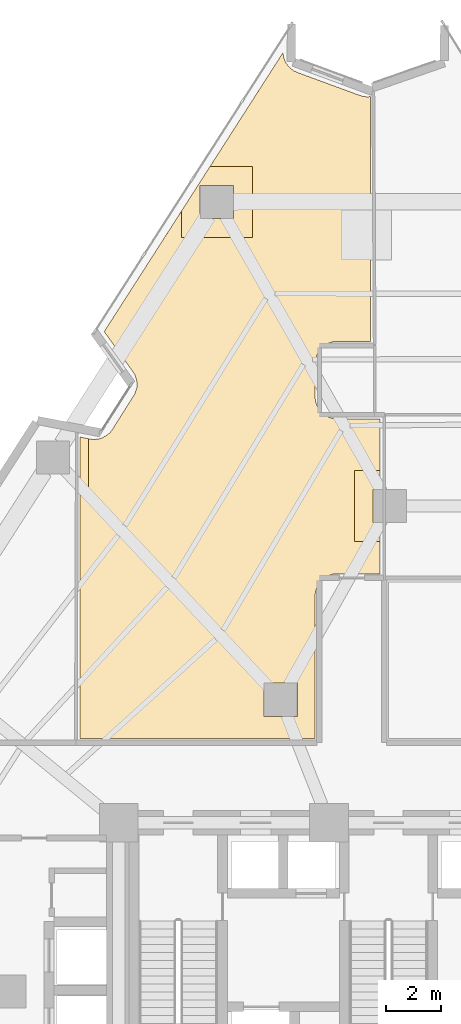
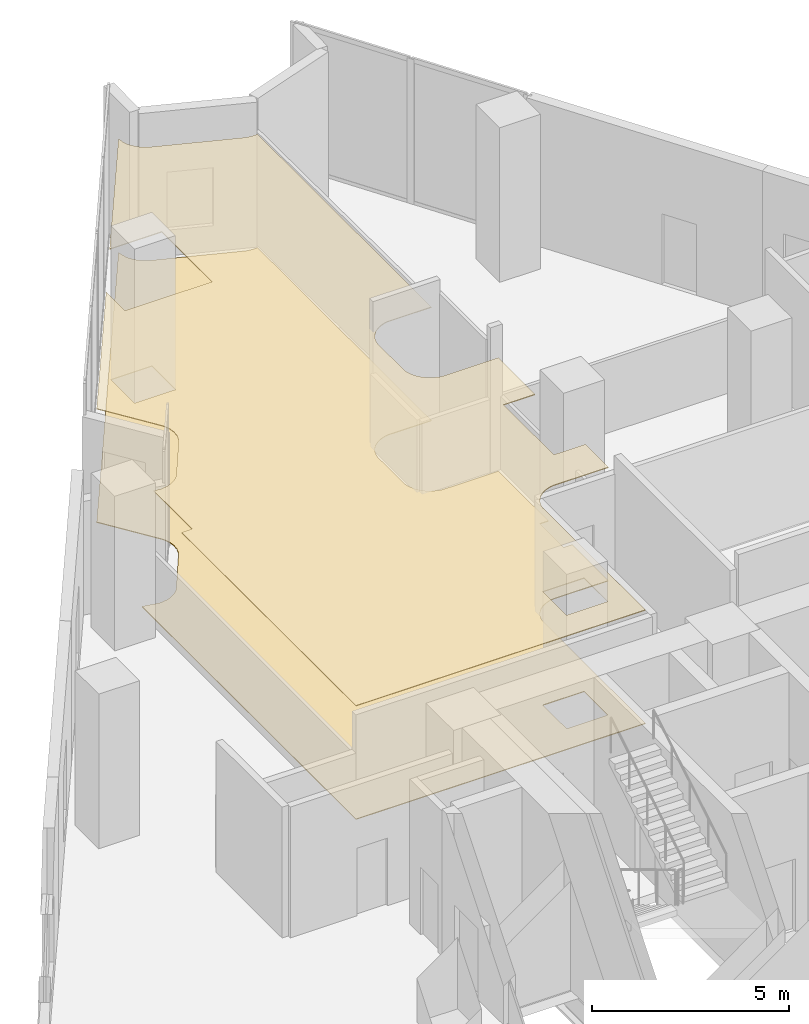
# One storey, part 11 of 13: 2 coverings.
"""IFC4 building model written with IfcOpenShell, lengths in metres."""

from ifc_helpers import new_model, si_unit, direction, frame, origin, place, context, subcontext, project, spatial, polyline, outline, extrude, material, layer, layer_set, type_object, element, save


model = new_model("IFC4")

# Units and contexts
model_context = context("Model", 3, precision=1e-05, world=origin(), true_north=direction((0.0, 1.0)))
body_context = subcontext(model_context, "Body", "Model", "MODEL_VIEW")
ifc_project = project(units=[si_unit("LENGTHUNIT", "METRE"), si_unit("AREAUNIT", "SQUARE_METRE"), si_unit("VOLUMEUNIT", "CUBIC_METRE"), si_unit("PLANEANGLEUNIT", "RADIAN"), si_unit("MASSUNIT", "GRAM", prefix="KILO")], contexts=[model_context])

# Site, building, storey
site_placement = place(None, origin())
site = spatial("IfcSite", under=ifc_project, at=site_placement, CompositionType="ELEMENT")
building_placement = place(site_placement, origin())
building = spatial("IfcBuilding", under=site, at=building_placement, Name="Almagre Mirador Tower", CompositionType="ELEMENT")
storey_placement = place(building_placement, frame((0.0, 0.0, 100.199951171875)))
storey = spatial("IfcBuildingStorey", under=building, at=storey_placement, Name="L25", CompositionType="ELEMENT", Elevation=100.199951171875)

# Coverings
ifc_material_1 = material(Name="Slatted white oak acoustic ceiling", Category="wood")
ifc_layer_1 = layer(ifc_material_1, 0.02392578125)
ifc_layer_set_1 = layer_set([ifc_layer_1], Name="Slatted white oak acoustic ceiling")
covering_type_1 = type_object("IfcCoveringType", Name="COV-CEIL-WD-24", PredefinedType="CEILING", material=ifc_layer_set_1)
covering_1_placement = place(storey_placement, frame((0.0, 0.0, 3.52001953125)))
element("IfcCovering", 1, at=covering_1_placement, inside=storey, type_object=covering_type_1, Name="L25 L25 Sky Sommelier Tasting Room acoustic suspended ceiling", PredefinedType="CEILING", context=body_context, shape_type="SweptSolid", body=[
    extrude(outline(polyline([(26.56689453125, 28.612060546875), (26.64794921875, 28.597900390625), (26.742919921875, 28.612060546875), (26.804931640625, 28.6220703125), (26.882080078125, 28.635009765625), (26.97802734375, 28.676025390625), (27.031982421875, 28.7080078125), (27.10107421875, 28.742919921875), (27.22705078125, 28.843017578125), (27.281005859375, 28.910888671875), (27.325927734375, 28.97802734375), (28.075927734375, 30.16796875), (28.123046875, 30.239990234375), (28.152099609375, 30.31103515625), (28.173095703125, 30.385986328125), (28.199951171875, 30.466064453125), (28.199951171875, 30.5390625), (28.2119140625, 30.6220703125), (28.197998046875, 30.705078125), (28.18701171875, 30.77294921875), (28.1630859375, 30.85400390625), (28.136962890625, 30.93310546875), (28.096923828125, 31.0), (28.052978515625, 31.06494140625), (27.02392578125, 32.50390625), (29.818115234375, 36.863037109375), (29.818115234375, 35.908935546875), (32.3779296875, 35.908935546875), (32.3779296875, 38.468994140625), (30.846923828125, 38.468994140625), (33.485107421875, 42.5859375), (33.501953125, 42.485107421875), (33.513916015625, 42.4140625), (33.56298828125, 42.26708984375), (33.60693359375, 42.194091796875), (33.653076171875, 42.135986328125), (33.697998046875, 42.080078125), (33.75, 42.028076171875), (33.805908203125, 41.98291015625), (33.8740234375, 41.928955078125), (33.93798828125, 41.903076171875), (34.0, 41.8720703125), (36.27001953125, 41.0380859375), (36.344970703125, 41.012939453125), (36.427001953125, 41.001953125), (36.498046875, 40.989990234375), (36.5810546875, 40.989990234375), (36.64990234375, 41.0), (36.64990234375, 32.14990234375), (35.37890625, 32.14990234375), (35.284912109375, 32.136962890625), (35.212890625, 32.112060546875), (35.14208984375, 32.089111328125), (35.068115234375, 32.052001953125), (35.00390625, 32.012939453125), (34.946044921875, 31.967041015625), (34.883056640625, 31.9169921875), (34.8330078125, 31.85400390625), (34.787109375, 31.7958984375), (34.748046875, 31.73193359375), (34.7109375, 31.657958984375), (34.68798828125, 31.5869140625), (34.6630859375, 31.514892578125), (34.64990234375, 31.4208984375), (34.64990234375, 30.0791015625), (34.6630859375, 29.985107421875), (34.68798828125, 29.9130859375), (34.7109375, 29.842041015625), (34.748046875, 29.76806640625), (34.787109375, 29.7041015625), (34.8330078125, 29.64599609375), (34.883056640625, 29.5830078125), (34.946044921875, 29.532958984375), (35.00390625, 29.487060546875), (35.068115234375, 29.447998046875), (35.14208984375, 29.410888671875), (35.212890625, 29.387939453125), (35.284912109375, 29.363037109375), (35.37890625, 29.35009765625), (37.0, 29.35009765625), (37.0, 27.47998046875), (36.070068359375, 27.47998046875), (36.070068359375, 24.919921875), (37.0, 24.919921875), (37.0, 23.75), (35.37890625, 23.75), (35.284912109375, 23.737060546875), (35.212890625, 23.7119140625), (35.14208984375, 23.68896484375), (35.068115234375, 23.652099609375), (35.00390625, 23.613037109375), (34.946044921875, 23.56689453125), (34.883056640625, 23.51708984375), (34.8330078125, 23.4541015625), (34.787109375, 23.39599609375), (34.748046875, 23.33203125), (34.7109375, 23.258056640625), (34.68798828125, 23.18701171875), (34.6630859375, 23.114990234375), (34.64990234375, 23.02099609375), (34.64990234375, 17.800048828125), (26.14990234375, 17.800048828125), (26.14990234375, 26.6689453125), (26.4580078125, 26.6689453125), (26.4580078125, 28.62890625), (26.4951171875, 28.6220703125), (26.56689453125, 28.612060546875)]), holes=[polyline([(34.0048828125, 18.594970703125), (32.794921875, 18.594970703125), (32.794921875, 19.804931640625), (34.0048828125, 19.804931640625), (34.0048828125, 18.594970703125)])]), origin(), (0.0, 0.0, 1.0), 0.02392578125),
])
ifc_material_2 = material(Name="Honed basalt terrazzo flooring", Category="masonry")
ifc_layer_2 = layer(ifc_material_2, 0.02197265625)
ifc_layer_set_2 = layer_set([ifc_layer_2], Name="Honed basalt terrazzo flooring")
covering_type_2 = type_object("IfcCoveringType", Name="COV-FLR-TER-22", PredefinedType="FLOORING", material=ifc_layer_set_2)
covering_2_placement = place(storey_placement, origin())
element("IfcCovering", 2, at=covering_2_placement, inside=storey, type_object=covering_type_2, Name="L25 L25 Sky Sommelier Tasting Room finish flooring", PredefinedType="FLOORING", context=body_context, shape_type="SweptSolid", body=[
    extrude(outline(polyline([(26.4951171875, 28.6220703125), (26.56689453125, 28.612060546875), (26.64794921875, 28.597900390625), (26.742919921875, 28.612060546875), (26.804931640625, 28.6220703125), (26.882080078125, 28.635009765625), (26.97802734375, 28.676025390625), (27.031982421875, 28.7080078125), (27.10107421875, 28.742919921875), (27.22705078125, 28.843017578125), (27.281005859375, 28.910888671875), (27.325927734375, 28.97802734375), (28.075927734375, 30.16796875), (28.123046875, 30.239990234375), (28.152099609375, 30.31103515625), (28.173095703125, 30.385986328125), (28.199951171875, 30.466064453125), (28.199951171875, 30.5390625), (28.2119140625, 30.6220703125), (28.197998046875, 30.705078125), (28.18701171875, 30.77294921875), (28.1630859375, 30.85400390625), (28.136962890625, 30.93310546875), (28.096923828125, 31.0), (28.052978515625, 31.06494140625), (27.02392578125, 32.50390625), (33.485107421875, 42.5859375), (33.501953125, 42.485107421875), (33.513916015625, 42.4140625), (33.56298828125, 42.26708984375), (33.60693359375, 42.194091796875), (33.653076171875, 42.135986328125), (33.697998046875, 42.080078125), (33.75, 42.028076171875), (33.805908203125, 41.98291015625), (33.8740234375, 41.928955078125), (33.93798828125, 41.903076171875), (34.0, 41.8720703125), (36.27001953125, 41.0380859375), (36.344970703125, 41.012939453125), (36.427001953125, 41.001953125), (36.498046875, 40.989990234375), (36.5810546875, 40.989990234375), (36.64990234375, 41.0), (36.64990234375, 32.14990234375), (35.37890625, 32.14990234375), (35.284912109375, 32.136962890625), (35.212890625, 32.112060546875), (35.14208984375, 32.089111328125), (35.068115234375, 32.052001953125), (35.00390625, 32.012939453125), (34.946044921875, 31.967041015625), (34.883056640625, 31.9169921875), (34.8330078125, 31.85400390625), (34.787109375, 31.7958984375), (34.748046875, 31.73193359375), (34.7109375, 31.657958984375), (34.68798828125, 31.5869140625), (34.6630859375, 31.514892578125), (34.64990234375, 31.4208984375), (34.64990234375, 30.0791015625), (34.6630859375, 29.985107421875), (34.68798828125, 29.9130859375), (34.7109375, 29.842041015625), (34.748046875, 29.76806640625), (34.787109375, 29.7041015625), (34.8330078125, 29.64599609375), (34.883056640625, 29.5830078125), (34.946044921875, 29.532958984375), (35.00390625, 29.487060546875), (35.068115234375, 29.447998046875), (35.14208984375, 29.410888671875), (35.212890625, 29.387939453125), (35.284912109375, 29.363037109375), (35.37890625, 29.35009765625), (37.0, 29.35009765625), (37.0, 26.804931640625), (36.7451171875, 26.804931640625), (36.7451171875, 25.594970703125), (37.0, 25.594970703125), (37.0, 23.75), (35.37890625, 23.75), (35.284912109375, 23.737060546875), (35.212890625, 23.7119140625), (35.14208984375, 23.68896484375), (35.068115234375, 23.652099609375), (35.00390625, 23.613037109375), (34.946044921875, 23.56689453125), (34.883056640625, 23.51708984375), (34.8330078125, 23.4541015625), (34.787109375, 23.39599609375), (34.748046875, 23.33203125), (34.7109375, 23.258056640625), (34.68798828125, 23.18701171875), (34.6630859375, 23.114990234375), (34.64990234375, 23.02099609375), (34.64990234375, 17.800048828125), (26.14990234375, 17.800048828125), (26.14990234375, 28.69091796875), (26.4951171875, 28.6220703125)]), holes=[polyline([(32.794921875, 18.594970703125), (32.794921875, 19.804931640625), (34.0048828125, 19.804931640625), (34.0048828125, 18.594970703125), (32.794921875, 18.594970703125)]), polyline([(30.492919921875, 36.583984375), (30.492919921875, 37.7939453125), (31.702880859375, 37.7939453125), (31.702880859375, 36.583984375), (30.492919921875, 36.583984375)])]), origin(), (0.0, 0.0, 1.0), 0.02197265625),
])

save(model, "model.ifc")
